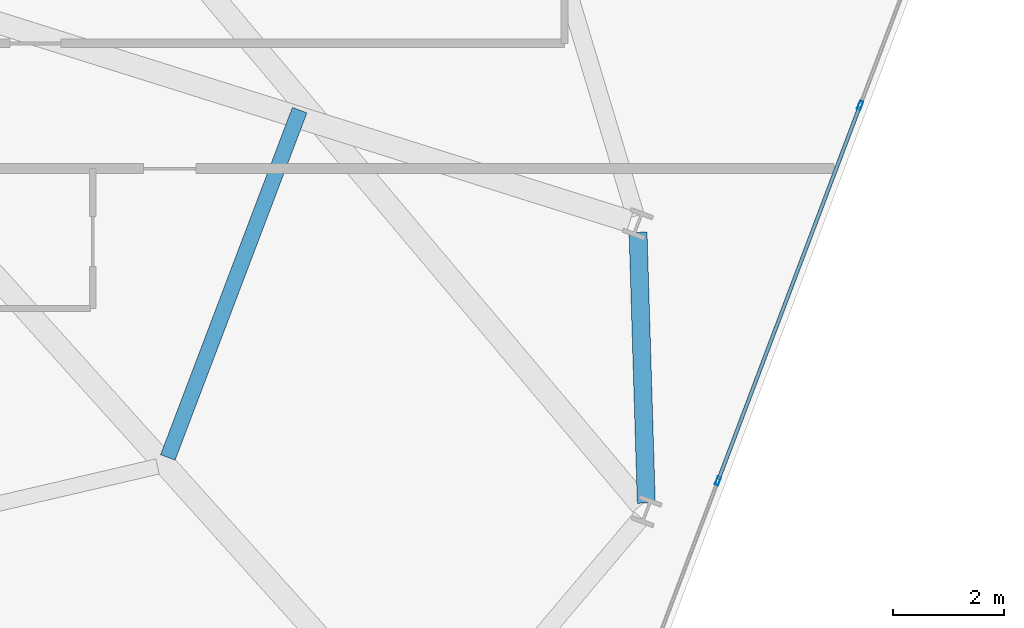
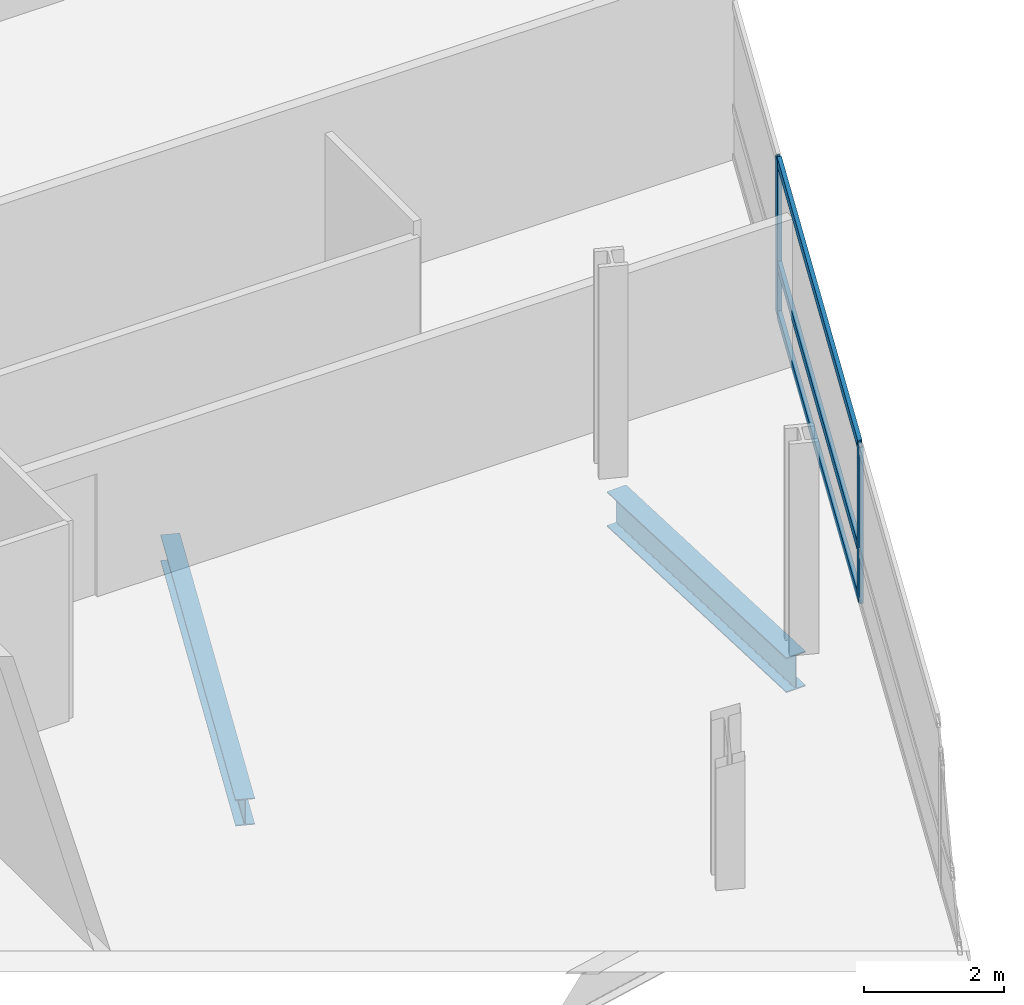
# One storey, part 12 of 25: 5 members, 2 beams, 1 element without a shape of its own.
"""IFC4 building model written with IfcOpenShell, lengths in metres."""

from ifc_helpers import new_model, si_unit, direction, frame, origin, origin_2d, place, context, subcontext, project, spatial, hollow_rectangle, i_section, extrude, material, layer, layer_set, material_profile, profile_set, type_object, element, aggregate, save


model = new_model("IFC4")

# Units and contexts
model_context = context("Model", 3, precision=1e-05, world=origin(), true_north=direction((0.0, 1.0)))
body_context = subcontext(model_context, "Body", "Model", "MODEL_VIEW")
ifc_project = project(units=[si_unit("LENGTHUNIT", "METRE"), si_unit("AREAUNIT", "SQUARE_METRE"), si_unit("VOLUMEUNIT", "CUBIC_METRE"), si_unit("PLANEANGLEUNIT", "RADIAN"), si_unit("MASSUNIT", "GRAM", prefix="KILO")], contexts=[model_context])

# Site, building, storey
site_placement = place(None, origin())
site = spatial("IfcSite", under=ifc_project, at=site_placement, CompositionType="ELEMENT")
building_placement = place(site_placement, origin())
building = spatial("IfcBuilding", under=site, at=building_placement, Name="Varnelok Gate Tower", CompositionType="ELEMENT")
storey_placement = place(building_placement, frame((0.0, 0.0, 91.0)))
storey = spatial("IfcBuildingStorey", under=building, at=storey_placement, Name="L22", CompositionType="ELEMENT", Elevation=91.0)

# Beams
ifc_material_1 = material(Name="Structural Steel ASTM A992 Grade 50", Category="steel")
ifc_material_profile_1 = material_profile(ifc_material_1, i_section(OverallWidth=0.280029296875, OverallDepth=0.462890625, WebThickness=0.0107421875, FlangeThickness=0.017333984375, FilletRadius=0.014892578125, at=origin_2d()), Name="W18X76")
ifc_profile_set_1 = profile_set([ifc_material_profile_1], Name="Structural Steel ASTM A992 Grade 50")
beam_type_1 = type_object("IfcBeamType", Name="BM-JST-W18X76", PredefinedType="JOIST", material=ifc_profile_set_1)
beam_1_placement = place(storey_placement, frame((62.845458984375, 9.144775390625, -0.4814453125), z_axis=(0.354899245418, 0.934904554274, 0.0), x_axis=(-0.934904554274, 0.354899245418, 0.0)))
element("IfcBeam", 1, at=beam_1_placement, inside=storey, type_object=beam_type_1, Name="L22 Sector Floor Joist 6", PredefinedType="JOIST", context=body_context, shape_type="SweptSolid", body=[
    extrude(i_section(OverallWidth=0.280029296875, OverallDepth=0.462890625, WebThickness=0.0107421875, FlangeThickness=0.017333984375, FilletRadius=0.014892578125, at=origin_2d()), origin(), (0.0, 0.0, 1.0), 6.6982421875),
])
ifc_material_profile_2 = material_profile(ifc_material_1, i_section(OverallWidth=0.323974609375, OverallDepth=0.611083984375, WebThickness=0.0126953125, FlangeThickness=0.01904296875, FilletRadius=0.01806640625, at=origin_2d()), Name="W24X104")
ifc_profile_set_2 = profile_set([ifc_material_profile_2], Name="Structural Steel ASTM A992 Grade 50")
beam_type_2 = type_object("IfcBeamType", Name="BM-SPN-W24X104", PredefinedType="SPANDREL", material=ifc_profile_set_2)
beam_2_placement = place(storey_placement, frame((71.471923828125, 8.322509765625, -0.555419921875), z_axis=(-0.030393553869, 0.999538009224, 0.0), x_axis=(-0.999538009224, -0.030393553869, 0.0)))
element("IfcBeam", 2, at=beam_2_placement, inside=storey, type_object=beam_type_2, Name="L22 Perimeter Spandrel Beam 7", PredefinedType="SPANDREL", context=body_context, shape_type="SweptSolid", body=[
    extrude(i_section(OverallWidth=0.323974609375, OverallDepth=0.611083984375, WebThickness=0.0126953125, FlangeThickness=0.01904296875, FilletRadius=0.01806640625, at=origin_2d()), origin(), (0.0, 0.0, 1.0), 4.8837890625),
])

# Curtain wall, members
ifc_material_2 = material(Name="Anodized Aluminum Alloy 6063-T6", Category="aluminium")
ifc_layer = layer(ifc_material_2, 0.179931640625)
ifc_layer_set = layer_set([ifc_layer], Name="Anodized Aluminum Alloy 6063-T6")
curtain_wall_type = type_object("IfcCurtainWallType", Name="CW3-HOTEL-VISION", PredefinedType="USERDEFINED", material=ifc_layer_set)
curtain_wall_placement = place(storey_placement, origin())
curtain_wall = element("IfcCurtainWall", 3, at=curtain_wall_placement, inside=storey, type_object=curtain_wall_type, Name="L22 East End Vision Curtain Wall", ObjectType="UNITISED CURTAIN WALL", PredefinedType="USERDEFINED")
ifc_material_profile_3 = material_profile(ifc_material_2, hollow_rectangle(XDim=0.06494140625, YDim=0.159912109375, WallThickness=0.00390625, at=origin_2d()), Name="ALU160X65X4")
ifc_profile_set_3 = profile_set([ifc_material_profile_3], Name="Anodized Aluminum Alloy 6063-T6")
member_type_1 = type_object("IfcMemberType", Name="CW-MULL-160", PredefinedType="MULLION", material=ifc_profile_set_3)
member_1_placement = place(storey_placement, frame((75.328125, 15.4931640625, 0.0), z_axis=(0.0, 0.0, 1.0), x_axis=(0.935221323688, -0.354063660545, 0.0)))
member_1 = element("IfcMember", 4, at=member_1_placement, type_object=member_type_1, Name="CW3 mullion 3", PredefinedType="MULLION", context=body_context, shape_type="SweptSolid", body=[
    extrude(hollow_rectangle(XDim=0.06494140625, YDim=0.159912109375, WallThickness=0.00390625, at=origin_2d()), origin(), (0.0, 0.0, 1.0), 2.72998046875),
])
member_2_placement = place(storey_placement, frame((72.7646484375, 8.72216796875, 0.0), z_axis=(0.0, 0.0, 1.0), x_axis=(0.935221323688, -0.354063660545, 0.0)))
member_2 = element("IfcMember", 5, at=member_2_placement, type_object=member_type_1, Name="CW3 mullion 4", PredefinedType="MULLION", context=body_context, shape_type="SweptSolid", body=[
    extrude(hollow_rectangle(XDim=0.06494140625, YDim=0.159912109375, WallThickness=0.00390625, at=origin_2d()), origin(), (0.0, 0.0, 1.0), 2.72998046875),
])
ifc_material_profile_4 = material_profile(ifc_material_2, hollow_rectangle(XDim=0.06494140625, YDim=0.159912109375, WallThickness=0.00390625, at=origin_2d()), Name="ALU160X65X4")
ifc_profile_set_4 = profile_set([ifc_material_profile_4], Name="Anodized Aluminum Alloy 6063-T6")
member_type_2 = type_object("IfcMemberType", Name="CW-TRAN-160", PredefinedType="USERDEFINED", material=ifc_profile_set_4)
member_3_placement = place(storey_placement, frame((75.316650390625, 15.462646484375, 0.032470703125), z_axis=(-0.354078724634, -0.935215620465, 0.0), x_axis=(0.935215620465, -0.354078724634, 0.0)))
member_3 = element("IfcMember", 6, at=member_3_placement, type_object=member_type_2, Name="CW3 transom 3.1", ObjectType="TRANSOM", PredefinedType="USERDEFINED", context=body_context, shape_type="SweptSolid", body=[
    extrude(hollow_rectangle(XDim=0.06494140625, YDim=0.159912109375, WallThickness=0.00390625, at=origin_2d()), origin(), (0.0, 0.0, 1.0), 7.175048828125),
])
member_4_placement = place(storey_placement, frame((75.316650390625, 15.462646484375, 0.89990234375), z_axis=(-0.354078724634, -0.935215620465, 0.0), x_axis=(0.935215620465, -0.354078724634, 0.0)))
member_4 = element("IfcMember", 7, at=member_4_placement, type_object=member_type_2, Name="CW3 transom 3.2", ObjectType="TRANSOM", PredefinedType="USERDEFINED", context=body_context, shape_type="SweptSolid", body=[
    extrude(hollow_rectangle(XDim=0.06494140625, YDim=0.159912109375, WallThickness=0.00390625, at=origin_2d()), origin(), (0.0, 0.0, 1.0), 7.175048828125),
])
member_5_placement = place(storey_placement, frame((75.316650390625, 15.462646484375, 2.697509765625), z_axis=(-0.354078724634, -0.935215620465, 0.0), x_axis=(0.935215620465, -0.354078724634, 0.0)))
member_5 = element("IfcMember", 8, at=member_5_placement, type_object=member_type_2, Name="CW3 transom 3.3", ObjectType="TRANSOM", PredefinedType="USERDEFINED", context=body_context, shape_type="SweptSolid", body=[
    extrude(hollow_rectangle(XDim=0.06494140625, YDim=0.159912109375, WallThickness=0.00390625, at=origin_2d()), origin(), (0.0, 0.0, 1.0), 7.175048828125),
])
aggregate(curtain_wall, [member_1, member_2, member_3, member_4, member_5])

save(model, "model.ifc")
